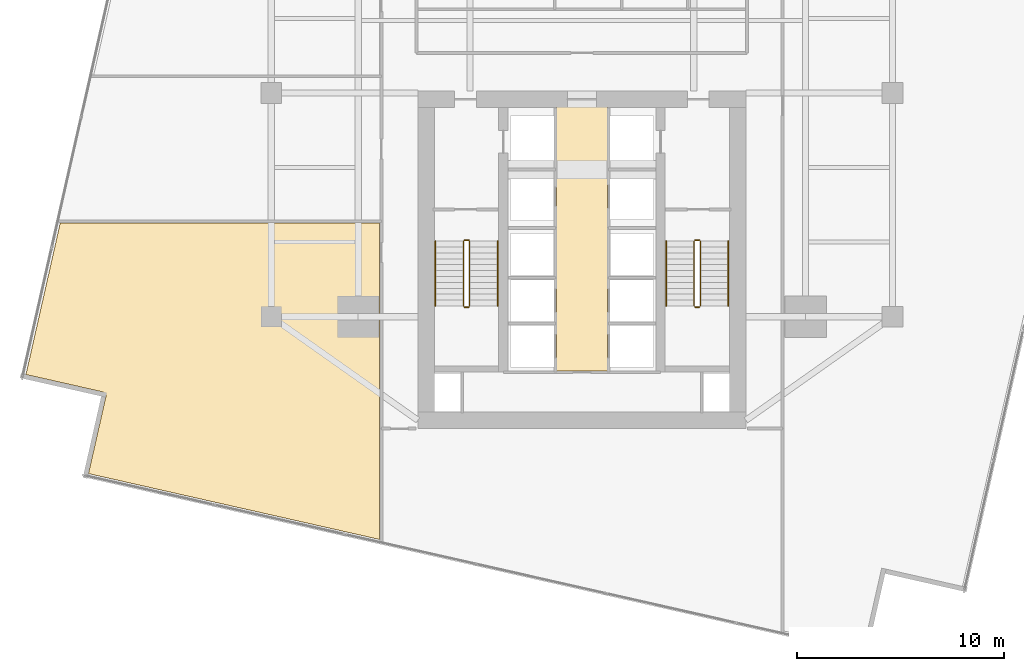
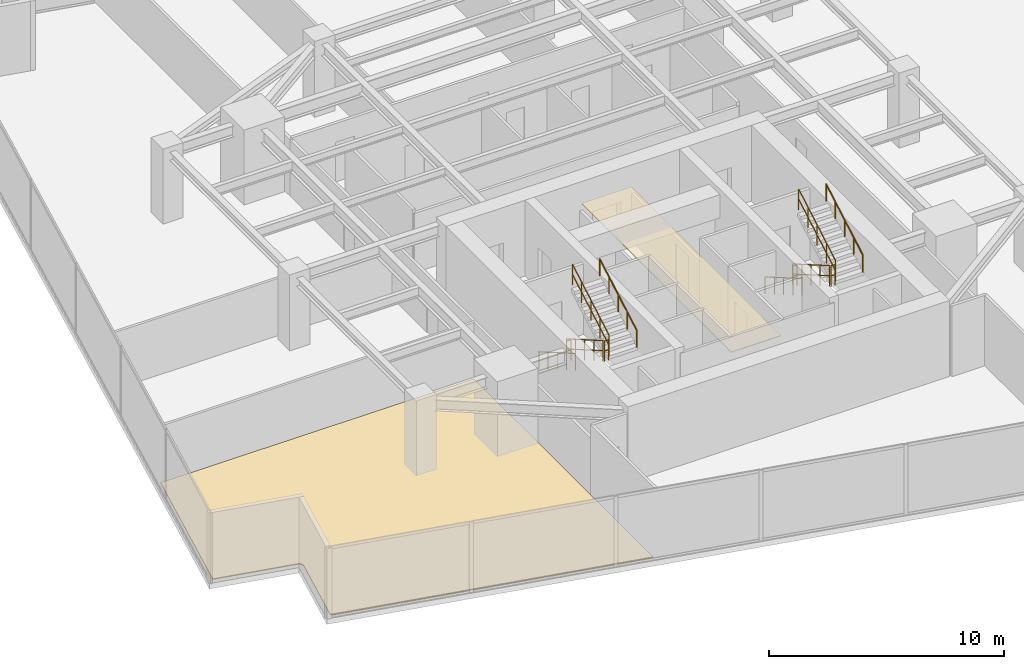
# One storey, part 25 of 27: 12 railings, 2 coverings.
"""IFC4 building model written with IfcOpenShell, lengths in metres."""

import ifcopenshell
import ifcopenshell.guid

model = None  # the IFC model being written
_history = None  # IfcOwnerHistory: only IFC2X3 demands one
_inside = {}  # id of a spatial element -> (the spatial element, [elements in it])
_under = {}  # id of a project, library or spatial element -> (it, [spatial elements below it])
_declared = {}  # id of a project -> (the project, [libraries it declares])
_typed = {}  # id of a type object -> (the type object, [elements of that type])
_made_of = {}  # id of a material, layer set ... -> (it, [elements and type objects made of it])


def new_model(schema):
    """Start an empty IFC model of exactly this schema.

    Asked for "IFC4X3", IfcOpenShell would pick the latest addendum, in which some entities
    have other attributes; the version numbers below select the first issue.
    IFC2X3 requires an IfcOwnerHistory on every rooted entity: one is made here for all.
    """
    global model, _history
    if schema == "IFC4X3":
        model = ifcopenshell.file(schema_version=(4, 3, 0, 0))
    else:
        model = ifcopenshell.file(schema=schema)
    _inside.clear()
    _under.clear()
    _declared.clear()
    _typed.clear()
    _made_of.clear()
    _history = None
    if model.schema == "IFC2X3":
        org = make("IfcOrganization", Name="unknown")
        user = make(
            "IfcPersonAndOrganization",
            ThePerson=make("IfcPerson", FamilyName="unknown"),
            TheOrganization=org,
        )
        app = make(
            "IfcApplication",
            ApplicationDeveloper=org,
            Version="unknown",
            ApplicationFullName="unknown",
            ApplicationIdentifier="unknown",
        )
        _history = make(
            "IfcOwnerHistory",
            OwningUser=user,
            OwningApplication=app,
            ChangeAction="ADDED",
            CreationDate=0,
        )
    return model


def make(cls, **values):
    """One entity of the class cls with the attributes given. An attribute that is None is left unset."""
    return model.create_entity(
        cls, **{name: value for name, value in values.items() if value is not None}
    )


def rooted(cls, **values):
    """An entity with a GlobalId (a new one), such as an element, a storey or a relation."""
    return make(cls, GlobalId=ifcopenshell.guid.new(), OwnerHistory=_history, **values)


def si_unit(unit_type, name, prefix=None):
    """IfcSIUnit, for example si_unit("LENGTHUNIT", "METRE", prefix="MILLI")."""
    return make("IfcSIUnit", UnitType=unit_type, Prefix=prefix, Name=name)


def assignment(units):
    """IfcUnitAssignment: the units of a project."""
    return None if units is None else make("IfcUnitAssignment", Units=units)


def point(xyz):
    """IfcCartesianPoint."""
    return None if xyz is None else make("IfcCartesianPoint", Coordinates=xyz)


def direction(xyz):
    """IfcDirection."""
    return None if xyz is None else make("IfcDirection", DirectionRatios=xyz)


def frame(location, z_axis=None, x_axis=None):
    """IfcAxis2Placement3D, a coordinate frame: its origin and axes. An axis left out is left unset."""
    return make(
        "IfcAxis2Placement3D",
        Location=point(location),
        Axis=direction(z_axis),
        RefDirection=direction(x_axis),
    )


def frame_2d(location, x_axis=None):
    """IfcAxis2Placement2D, a coordinate frame in the plane: its origin and x axis."""
    return make(
        "IfcAxis2Placement2D", Location=point(location), RefDirection=direction(x_axis)
    )


def origin():
    """The frame at (0, 0, 0) with its axes left unset."""
    return frame((0.0, 0.0, 0.0))


def origin_2d():
    """The frame at (0, 0) in the plane with its x axis left unset."""
    return frame_2d((0.0, 0.0))


def place(relative_to, where):
    """IfcLocalPlacement: puts the frame where relative to a parent placement (None: the world)."""
    return make(
        "IfcLocalPlacement", PlacementRelTo=relative_to, RelativePlacement=where
    )


def context(
    kind, dimensions, precision=None, world=None, true_north=None, identifier=None
):
    """IfcGeometricRepresentationContext, for example the 3D "Model" context."""
    return make(
        "IfcGeometricRepresentationContext",
        ContextIdentifier=identifier,
        ContextType=kind,
        CoordinateSpaceDimension=dimensions,
        Precision=precision,
        WorldCoordinateSystem=world,
        TrueNorth=true_north,
    )


def subcontext(parent, identifier, kind, view, scale=None):
    """IfcGeometricRepresentationSubContext, for example "Body" below "Model"."""
    return make(
        "IfcGeometricRepresentationSubContext",
        ContextIdentifier=identifier,
        ContextType=kind,
        ParentContext=parent,
        TargetScale=scale,
        TargetView=view,
    )


def project(units=None, contexts=None):
    """IfcProject with its units and contexts."""
    return rooted(
        "IfcProject",
        Name="project",
        RepresentationContexts=contexts,
        UnitsInContext=assignment(units),
    )


def spatial(cls, under=None, at=None, **own):
    """A site, building, storey or space (cls), placed at a placement, below another one or the project."""
    s = rooted(cls, ObjectPlacement=at, **own)
    if under is not None:
        _under.setdefault(under.id(), (under, []))[1].append(s)
    return s


def polyline(points):
    """IfcPolyline through the points."""
    return make("IfcPolyline", Points=[point(p) for p in points])


def profile(cls, at=None, kind="AREA", **sizes):
    """A parametric profile (cls). Its sizes go by their IFC names, for example OverallWidth=200.0."""
    return make(cls, ProfileType=kind, Position=at, **sizes)


def circle(**sizes):
    """IfcCircleProfileDef."""
    return profile("IfcCircleProfileDef", **sizes)


def outline(outer, holes=None, kind="AREA"):
    """IfcArbitraryClosedProfileDef: a profile drawn as a closed curve; with holes, ...WithVoids."""
    if holes is None:
        return make("IfcArbitraryClosedProfileDef", ProfileType=kind, OuterCurve=outer)
    return make(
        "IfcArbitraryProfileDefWithVoids",
        ProfileType=kind,
        OuterCurve=outer,
        InnerCurves=holes,
    )


def extrude(swept, where, along, depth):
    """IfcExtrudedAreaSolid: the profile swept, set in the frame where, extruded along a direction by depth."""
    return make(
        "IfcExtrudedAreaSolid",
        SweptArea=swept,
        Position=where,
        ExtrudedDirection=direction(along),
        Depth=depth,
    )


def shape(context_of_items, identifier, shape_type, items):
    """IfcShapeRepresentation: the items that make up one representation, for example the "Body"."""
    return make(
        "IfcShapeRepresentation",
        ContextOfItems=context_of_items,
        RepresentationIdentifier=identifier,
        RepresentationType=shape_type,
        Items=items,
    )


def material(Name=None, Category=None):
    """IfcMaterial."""
    return make("IfcMaterial", Name=Name, Category=Category)


def layer(
    of_material, thickness, ventilated=None, Name=None, Category=None, Priority=None
):
    """IfcMaterialLayer: one layer of a wall or slab, of a material (None: an air gap)."""
    return make(
        "IfcMaterialLayer",
        Material=of_material,
        LayerThickness=thickness,
        IsVentilated=ventilated,
        Name=Name,
        Category=Category,
        Priority=Priority,
    )


def layer_set(layers, Name=None):
    """IfcMaterialLayerSet."""
    return make("IfcMaterialLayerSet", MaterialLayers=layers, LayerSetName=Name)


def made_of(thing, what):
    """Note that an element or type object is made of a material, layer set ...; save() writes the relation."""
    if what is not None:
        _made_of.setdefault(what.id(), (what, []))[1].append(thing)
    return thing


def type_object(cls, material=None, **own):
    """A type object (cls), such as IfcWallType, which elements share."""
    return made_of(rooted(cls, **own), material)


def element(
    cls,
    number,
    at=None,
    inside=None,
    cuts=None,
    type_object=None,
    material=None,
    context=None,
    identifier="Body",
    shape_type=None,
    held_by="IfcProductDefinitionShape",
    body=None,
    shapes=None,
    **own,
):
    """One element of the class cls, such as IfcWall. Its Tag is "e" and its number.

    at: its placement. inside: the storey or other place that contains it. cuts: it is an
    opening in that element (IfcRelVoidsElement). A single representation is given by context,
    identifier, shape_type and body (its items); several are given by shapes. held_by: the class
    of the entity that holds the representations. save() writes the other relations.
    """
    e = rooted(cls, Tag="e%d" % number, ObjectPlacement=at, **own)
    if body is not None:
        shapes = [shape(context, identifier, shape_type, body)]
    if shapes is not None:
        e.Representation = make(held_by, Representations=shapes)
    if inside is not None:
        _inside.setdefault(inside.id(), (inside, []))[1].append(e)
    if cuts is not None:
        rooted(
            "IfcRelVoidsElement", RelatingBuildingElement=cuts, RelatedOpeningElement=e
        )
    if type_object is not None:
        _typed.setdefault(type_object.id(), (type_object, []))[1].append(e)
    return made_of(e, material)


def aggregate(whole, parts):
    """IfcRelAggregates: a whole, such as a stair, and the parts it consists of."""
    return rooted("IfcRelAggregates", RelatingObject=whole, RelatedObjects=parts)


def save(model, path):
    """Write the relations noted so far, then the file.

    IfcRelAggregates (storeys below a building ...), IfcRelContainedInSpatialStructure (elements
    in a storey), IfcRelDefinesByType, IfcRelAssociatesMaterial and IfcRelDeclares: one each for
    every whole, place, type object, material and project.
    """
    for whole, parts in _under.values():
        aggregate(whole, parts)
    for where, things in _inside.values():
        rooted(
            "IfcRelContainedInSpatialStructure",
            RelatedElements=things,
            RelatingStructure=where,
        )
    for kind, things in _typed.values():
        rooted("IfcRelDefinesByType", RelatedObjects=things, RelatingType=kind)
    for what, things in _made_of.values():
        rooted("IfcRelAssociatesMaterial", RelatedObjects=things, RelatingMaterial=what)
    for by, libraries in _declared.values():
        rooted("IfcRelDeclares", RelatingContext=by, RelatedDefinitions=libraries)
    model.write(path)


model = new_model("IFC4")

# Units and contexts
model_context = context("Model", 3, precision=1e-05, world=origin(), true_north=direction((0.0, 1.0)))
body_context = subcontext(model_context, "Body", "Model", "MODEL_VIEW")
ifc_project = project(units=[si_unit("LENGTHUNIT", "METRE"), si_unit("AREAUNIT", "SQUARE_METRE"), si_unit("VOLUMEUNIT", "CUBIC_METRE"), si_unit("PLANEANGLEUNIT", "RADIAN"), si_unit("MASSUNIT", "GRAM", prefix="KILO")], contexts=[model_context])

# Site, building, storey
site_placement = place(None, origin())
site = spatial("IfcSite", under=ifc_project, at=site_placement, CompositionType="ELEMENT")
building_placement = place(site_placement, origin())
building = spatial("IfcBuilding", under=site, at=building_placement, Name="Krantzveldt Concourse Tower", CompositionType="ELEMENT")
storey_placement = place(building_placement, frame((0.0, 0.0, 86.10009765625)))
storey = spatial("IfcBuildingStorey", under=building, at=storey_placement, Name="L20", CompositionType="ELEMENT", Elevation=86.10009765625)

# Coverings
ifc_material_1 = material(Name="Perforated acoustic mineral-fibre ceiling tile", Category="ceiling")
ifc_layer_1 = layer(ifc_material_1, 0.0400390625, Name="Perforated acoustic mineral-fibre ceiling tile", Category="ceiling")
ifc_layer_set_1 = layer_set([ifc_layer_1], Name="Perforated acoustic mineral-fibre ceiling tile (COV-CEIL-ACOUSTIC)")
covering_type_1 = type_object("IfcCoveringType", Name="COV-CEIL-ACOUSTIC", PredefinedType="CEILING", material=ifc_layer_set_1)
covering_1_placement = place(storey_placement, frame((0.0, 0.0, 2.75)))
element("IfcCovering", 1, at=covering_1_placement, inside=storey, type_object=covering_type_1, Name="CLG-L20-LLB", PredefinedType="CEILING", context=body_context, shape_type="SweptSolid", body=[
    extrude(outline(polyline([(37.22509765625, 13.27490234375), (34.77490234375, 13.27490234375), (34.77490234375, 26.044921875), (37.22509765625, 26.044921875), (37.22509765625, 13.27490234375)])), origin(), (0.0, 0.0, 1.0), 0.039794921875),
])
ifc_material_2 = material(Name="Calcium-sulphate raised access floor panel", Category="flooring")
ifc_layer_2 = layer(ifc_material_2, 0.050048828125, Name="Calcium-sulphate raised access floor panel", Category="flooring")
ifc_layer_set_2 = layer_set([ifc_layer_2], Name="Calcium-sulphate raised access floor panel (COV-FLOOR-RAISED)")
covering_type_2 = type_object("IfcCoveringType", Name="COV-FLOOR-RAISED", PredefinedType="FLOORING", material=ifc_layer_set_2)
covering_2_placement = place(storey_placement, origin())
element("IfcCovering", 2, at=covering_2_placement, inside=storey, type_object=covering_type_2, Name="FLR-SP-L20-WR1", PredefinedType="FLOORING", context=body_context, shape_type="SweptSolid", body=[
    extrude(outline(polyline([(26.239990234375, 5.142333984375), (12.17724609375, 8.324462890625), (13.011474609375, 12.01123046875), (13.01513671875, 12.03271484375), (13.016845703125, 12.05419921875), (13.016357421875, 12.07568359375), (13.013671875, 12.09716796875), (13.009033203125, 12.1181640625), (13.002197265625, 12.138671875), (12.993408203125, 12.158447265625), (12.98291015625, 12.17724609375), (12.970458984375, 12.195068359375), (12.956298828125, 12.21142578125), (12.94091796875, 12.226318359375), (12.923828125, 12.239501953125), (12.905517578125, 12.251220703125), (12.88623046875, 12.260986328125), (12.8662109375, 12.2685546875), (12.845458984375, 12.2744140625), (9.15869140625, 13.108642578125), (10.81298828125, 20.419921875), (26.239990234375, 20.419921875), (26.239990234375, 5.142333984375)])), origin(), (0.0, 0.0, 1.0), 0.0498046875),
])

# Railings
ifc_material_3 = material(Name="Stainless steel 316L", Category="steel")
ifc_layer_3 = layer(ifc_material_3, 0.06005859375, Name="Stainless steel 316L", Category="steel")
ifc_layer_set_3 = layer_set([ifc_layer_3], Name="Stainless steel 316L (RL-GUARD-1120)")
railing_type_1 = type_object("IfcRailingType", Name="RL-GUARD-1120", PredefinedType="GUARDRAIL", material=ifc_layer_set_3)
railing_1_placement = place(storey_placement, frame((30.280029296875, 19.550048828125, 0.16455078125)))
element("IfcRailing", 3, at=railing_1_placement, inside=storey, type_object=railing_type_1, Name="L20 ST-1 stair guard 1", PredefinedType="GUARDRAIL", context=body_context, shape_type="SweptSolid", body=[
    extrude(circle(Radius=0.02392578125, at=origin_2d()), frame((0.0, 0.0, 1.076171875), z_axis=(0.0, -0.865989039225, 0.500062979975), x_axis=(1.0, 0.0, 0.0)), (0.0, 0.0, 1.0), 3.6201171875),
    extrude(circle(Radius=0.02392578125, at=origin_2d()), frame((0.0, 0.0, 0.550048828125), z_axis=(0.0, -0.865989039225, 0.500062979975), x_axis=(1.0, 0.0, 0.0)), (0.0, 0.0, 1.0), 3.6201171875),
    extrude(circle(Radius=0.02099609375, at=origin_2d()), origin(), (0.0, 0.0, 1.0), 1.052001953125),
    extrude(circle(Radius=0.02099609375, at=origin_2d()), frame((0.0, -0.78369140625, 0.45263671875)), (0.0, 0.0, 1.0), 1.052001953125),
    extrude(circle(Radius=0.02099609375, at=origin_2d()), frame((0.0, -1.5673828125, 0.9052734375)), (0.0, 0.0, 1.0), 1.052001953125),
    extrude(circle(Radius=0.02099609375, at=origin_2d()), frame((0.0, -2.351318359375, 1.357666015625)), (0.0, 0.0, 1.0), 1.052001953125),
    extrude(circle(Radius=0.02099609375, at=origin_2d()), frame((0.0, -3.135009765625, 1.810302734375)), (0.0, 0.0, 1.0), 1.052001953125),
])
railing_2_placement = place(storey_placement, frame((30.330078125, 16.364990234375, 1.974853515625)))
element("IfcRailing", 4, at=railing_2_placement, inside=storey, type_object=railing_type_1, Name="L20 ST-1 stair guard 2", PredefinedType="GUARDRAIL", context=body_context, shape_type="SweptSolid", body=[
    extrude(circle(Radius=0.02392578125, at=origin_2d()), frame((0.0, 0.0, 1.076171875), z_axis=(1.0, 0.0, 0.0), x_axis=(0.0, 1.0, 0.0)), (0.0, 0.0, 1.0), 0.199951171875),
    extrude(circle(Radius=0.02392578125, at=origin_2d()), frame((0.0, 0.0, 0.550048828125), z_axis=(1.0, 0.0, 0.0), x_axis=(0.0, 1.0, 0.0)), (0.0, 0.0, 1.0), 0.199951171875),
    extrude(circle(Radius=0.02099609375, at=origin_2d()), origin(), (0.0, 0.0, 1.0), 1.052001953125),
    extrude(circle(Radius=0.02099609375, at=origin_2d()), frame((0.199951171875, 0.0, 0.0)), (0.0, 0.0, 1.0), 1.052001953125),
])
railing_3_placement = place(storey_placement, frame((30.580078125, 16.4150390625, 2.139404296875)))
element("IfcRailing", 5, at=railing_3_placement, inside=storey, type_object=railing_type_1, Name="L20 ST-1 stair guard 3", PredefinedType="GUARDRAIL", context=body_context, shape_type="SweptSolid", body=[
    extrude(circle(Radius=0.02392578125, at=origin_2d()), frame((0.0, 0.0, 1.076171875), z_axis=(0.0, 0.865959834175, 0.500113552702), x_axis=(-1.0, 0.0, 0.0)), (0.0, 0.0, 1.0), 3.620361328125),
    extrude(circle(Radius=0.02392578125, at=origin_2d()), frame((0.0, 0.0, 0.550048828125), z_axis=(0.0, 0.865959834175, 0.500113552702), x_axis=(-1.0, 0.0, 0.0)), (0.0, 0.0, 1.0), 3.620361328125),
    extrude(circle(Radius=0.02099609375, at=origin_2d()), origin(), (0.0, 0.0, 1.0), 1.052001953125),
    extrude(circle(Radius=0.02099609375, at=origin_2d()), frame((0.0, 0.78369140625, 0.45263671875)), (0.0, 0.0, 1.0), 1.052001953125),
    extrude(circle(Radius=0.02099609375, at=origin_2d()), frame((0.0, 1.5673828125, 0.9052734375)), (0.0, 0.0, 1.0), 1.052001953125),
    extrude(circle(Radius=0.02099609375, at=origin_2d()), frame((0.0, 2.351318359375, 1.35791015625)), (0.0, 0.0, 1.0), 1.052001953125),
    extrude(circle(Radius=0.02099609375, at=origin_2d()), frame((0.0, 3.135009765625, 1.810546875)), (0.0, 0.0, 1.0), 1.052001953125),
])
railing_4_placement = place(storey_placement, frame((30.330078125, 19.60009765625, 0.0)))
element("IfcRailing", 6, at=railing_4_placement, inside=storey, type_object=railing_type_1, Name="L20 ST-1 stair guard 4", PredefinedType="GUARDRAIL", context=body_context, shape_type="SweptSolid", body=[
    extrude(circle(Radius=0.02392578125, at=origin_2d()), frame((0.0, 0.0, 1.076171875), z_axis=(1.0, 0.0, 0.0), x_axis=(0.0, 1.0, 0.0)), (0.0, 0.0, 1.0), 0.199951171875),
    extrude(circle(Radius=0.02392578125, at=origin_2d()), frame((0.0, 0.0, 0.550048828125), z_axis=(1.0, 0.0, 0.0), x_axis=(0.0, 1.0, 0.0)), (0.0, 0.0, 1.0), 0.199951171875),
    extrude(circle(Radius=0.02099609375, at=origin_2d()), origin(), (0.0, 0.0, 1.0), 1.052001953125),
    extrude(circle(Radius=0.02099609375, at=origin_2d()), frame((0.199951171875, 0.0, 0.0)), (0.0, 0.0, 1.0), 1.052001953125),
])
railing_5_placement = place(storey_placement, frame((41.419921875, 19.550048828125, 0.16455078125)))
element("IfcRailing", 7, at=railing_5_placement, inside=storey, type_object=railing_type_1, Name="L20 ST-2 stair guard 1", PredefinedType="GUARDRAIL", context=body_context, shape_type="SweptSolid", body=[
    extrude(circle(Radius=0.02392578125, at=origin_2d()), frame((0.0, 0.0, 1.076171875), z_axis=(0.0, -0.865989039225, 0.500062979975), x_axis=(1.0, 0.0, 0.0)), (0.0, 0.0, 1.0), 3.6201171875),
    extrude(circle(Radius=0.02392578125, at=origin_2d()), frame((0.0, 0.0, 0.550048828125), z_axis=(0.0, -0.865989039225, 0.500062979975), x_axis=(1.0, 0.0, 0.0)), (0.0, 0.0, 1.0), 3.6201171875),
    extrude(circle(Radius=0.02099609375, at=origin_2d()), origin(), (0.0, 0.0, 1.0), 1.052001953125),
    extrude(circle(Radius=0.02099609375, at=origin_2d()), frame((0.0, -0.78369140625, 0.45263671875)), (0.0, 0.0, 1.0), 1.052001953125),
    extrude(circle(Radius=0.02099609375, at=origin_2d()), frame((0.0, -1.5673828125, 0.9052734375)), (0.0, 0.0, 1.0), 1.052001953125),
    extrude(circle(Radius=0.02099609375, at=origin_2d()), frame((0.0, -2.351318359375, 1.357666015625)), (0.0, 0.0, 1.0), 1.052001953125),
    extrude(circle(Radius=0.02099609375, at=origin_2d()), frame((0.0, -3.135009765625, 1.810302734375)), (0.0, 0.0, 1.0), 1.052001953125),
])
railing_6_placement = place(storey_placement, frame((41.469970703125, 16.364990234375, 1.974853515625)))
element("IfcRailing", 8, at=railing_6_placement, inside=storey, type_object=railing_type_1, Name="L20 ST-2 stair guard 2", PredefinedType="GUARDRAIL", context=body_context, shape_type="SweptSolid", body=[
    extrude(circle(Radius=0.02392578125, at=origin_2d()), frame((0.0, 0.0, 1.076171875), z_axis=(1.0, 0.0, 0.0), x_axis=(0.0, 1.0, 0.0)), (0.0, 0.0, 1.0), 0.199951171875),
    extrude(circle(Radius=0.02392578125, at=origin_2d()), frame((0.0, 0.0, 0.550048828125), z_axis=(1.0, 0.0, 0.0), x_axis=(0.0, 1.0, 0.0)), (0.0, 0.0, 1.0), 0.199951171875),
    extrude(circle(Radius=0.02099609375, at=origin_2d()), origin(), (0.0, 0.0, 1.0), 1.052001953125),
    extrude(circle(Radius=0.02099609375, at=origin_2d()), frame((0.199951171875, 0.0, 0.0)), (0.0, 0.0, 1.0), 1.052001953125),
])
railing_7_placement = place(storey_placement, frame((41.719970703125, 16.4150390625, 2.139404296875)))
element("IfcRailing", 9, at=railing_7_placement, inside=storey, type_object=railing_type_1, Name="L20 ST-2 stair guard 3", PredefinedType="GUARDRAIL", context=body_context, shape_type="SweptSolid", body=[
    extrude(circle(Radius=0.02392578125, at=origin_2d()), frame((0.0, 0.0, 1.076171875), z_axis=(0.0, 0.865959834175, 0.500113552702), x_axis=(-1.0, 0.0, 0.0)), (0.0, 0.0, 1.0), 3.620361328125),
    extrude(circle(Radius=0.02392578125, at=origin_2d()), frame((0.0, 0.0, 0.550048828125), z_axis=(0.0, 0.865959834175, 0.500113552702), x_axis=(-1.0, 0.0, 0.0)), (0.0, 0.0, 1.0), 3.620361328125),
    extrude(circle(Radius=0.02099609375, at=origin_2d()), origin(), (0.0, 0.0, 1.0), 1.052001953125),
    extrude(circle(Radius=0.02099609375, at=origin_2d()), frame((0.0, 0.78369140625, 0.45263671875)), (0.0, 0.0, 1.0), 1.052001953125),
    extrude(circle(Radius=0.02099609375, at=origin_2d()), frame((0.0, 1.5673828125, 0.9052734375)), (0.0, 0.0, 1.0), 1.052001953125),
    extrude(circle(Radius=0.02099609375, at=origin_2d()), frame((0.0, 2.351318359375, 1.35791015625)), (0.0, 0.0, 1.0), 1.052001953125),
    extrude(circle(Radius=0.02099609375, at=origin_2d()), frame((0.0, 3.135009765625, 1.810546875)), (0.0, 0.0, 1.0), 1.052001953125),
])
railing_8_placement = place(storey_placement, frame((41.469970703125, 19.60009765625, 0.0)))
element("IfcRailing", 10, at=railing_8_placement, inside=storey, type_object=railing_type_1, Name="L20 ST-2 stair guard 4", PredefinedType="GUARDRAIL", context=body_context, shape_type="SweptSolid", body=[
    extrude(circle(Radius=0.02392578125, at=origin_2d()), frame((0.0, 0.0, 1.076171875), z_axis=(1.0, 0.0, 0.0), x_axis=(0.0, 1.0, 0.0)), (0.0, 0.0, 1.0), 0.199951171875),
    extrude(circle(Radius=0.02392578125, at=origin_2d()), frame((0.0, 0.0, 0.550048828125), z_axis=(1.0, 0.0, 0.0), x_axis=(0.0, 1.0, 0.0)), (0.0, 0.0, 1.0), 0.199951171875),
    extrude(circle(Radius=0.02099609375, at=origin_2d()), origin(), (0.0, 0.0, 1.0), 1.052001953125),
    extrude(circle(Radius=0.02099609375, at=origin_2d()), frame((0.199951171875, 0.0, 0.0)), (0.0, 0.0, 1.0), 1.052001953125),
])
ifc_layer_4 = layer(ifc_material_3, 0.050048828125, Name="Stainless steel 316L", Category="steel")
ifc_layer_set_4 = layer_set([ifc_layer_4], Name="Stainless steel 316L (RL-HANDRAIL-920)")
railing_type_2 = type_object("IfcRailingType", Name="RL-HANDRAIL-920", PredefinedType="HANDRAIL", material=ifc_layer_set_4)
railing_9_placement = place(storey_placement, frame((28.929931640625, 19.550048828125, 0.16455078125)))
element("IfcRailing", 11, at=railing_9_placement, inside=storey, type_object=railing_type_2, Name="L20 ST-1 stair handrail 1", PredefinedType="HANDRAIL", context=body_context, shape_type="SweptSolid", body=[
    extrude(circle(Radius=0.02392578125, at=origin_2d()), frame((0.0, 0.0, 0.8759765625), z_axis=(0.0, -0.865989039225, 0.500062979975), x_axis=(1.0, 0.0, 0.0)), (0.0, 0.0, 1.0), 3.6201171875),
    extrude(circle(Radius=0.02099609375, at=origin_2d()), origin(), (0.0, 0.0, 1.0), 0.851806640625),
    extrude(circle(Radius=0.02099609375, at=origin_2d()), frame((0.0, -0.78369140625, 0.45263671875)), (0.0, 0.0, 1.0), 0.851806640625),
    extrude(circle(Radius=0.02099609375, at=origin_2d()), frame((0.0, -1.5673828125, 0.9052734375)), (0.0, 0.0, 1.0), 0.851806640625),
    extrude(circle(Radius=0.02099609375, at=origin_2d()), frame((0.0, -2.351318359375, 1.357666015625)), (0.0, 0.0, 1.0), 0.851806640625),
    extrude(circle(Radius=0.02099609375, at=origin_2d()), frame((0.0, -3.135009765625, 1.810302734375)), (0.0, 0.0, 1.0), 0.851806640625),
])
railing_10_placement = place(storey_placement, frame((31.929931640625, 16.4150390625, 2.139404296875)))
element("IfcRailing", 12, at=railing_10_placement, inside=storey, type_object=railing_type_2, Name="L20 ST-1 stair handrail 2", PredefinedType="HANDRAIL", context=body_context, shape_type="SweptSolid", body=[
    extrude(circle(Radius=0.02392578125, at=origin_2d()), frame((0.0, 0.0, 0.8759765625), z_axis=(0.0, 0.865959834175, 0.500113552702), x_axis=(-1.0, 0.0, 0.0)), (0.0, 0.0, 1.0), 3.620361328125),
    extrude(circle(Radius=0.02099609375, at=origin_2d()), origin(), (0.0, 0.0, 1.0), 0.851806640625),
    extrude(circle(Radius=0.02099609375, at=origin_2d()), frame((0.0, 0.78369140625, 0.45263671875)), (0.0, 0.0, 1.0), 0.851806640625),
    extrude(circle(Radius=0.02099609375, at=origin_2d()), frame((0.0, 1.5673828125, 0.9052734375)), (0.0, 0.0, 1.0), 0.851806640625),
    extrude(circle(Radius=0.02099609375, at=origin_2d()), frame((0.0, 2.351318359375, 1.35791015625)), (0.0, 0.0, 1.0), 0.851806640625),
    extrude(circle(Radius=0.02099609375, at=origin_2d()), frame((0.0, 3.135009765625, 1.810546875)), (0.0, 0.0, 1.0), 0.851806640625),
])
railing_11_placement = place(storey_placement, frame((40.070068359375, 19.550048828125, 0.16455078125)))
element("IfcRailing", 13, at=railing_11_placement, inside=storey, type_object=railing_type_2, Name="L20 ST-2 stair handrail 1", PredefinedType="HANDRAIL", context=body_context, shape_type="SweptSolid", body=[
    extrude(circle(Radius=0.02392578125, at=origin_2d()), frame((0.0, 0.0, 0.8759765625), z_axis=(0.0, -0.865989039225, 0.500062979975), x_axis=(1.0, 0.0, 0.0)), (0.0, 0.0, 1.0), 3.6201171875),
    extrude(circle(Radius=0.02099609375, at=origin_2d()), origin(), (0.0, 0.0, 1.0), 0.851806640625),
    extrude(circle(Radius=0.02099609375, at=origin_2d()), frame((0.0, -0.78369140625, 0.45263671875)), (0.0, 0.0, 1.0), 0.851806640625),
    extrude(circle(Radius=0.02099609375, at=origin_2d()), frame((0.0, -1.5673828125, 0.9052734375)), (0.0, 0.0, 1.0), 0.851806640625),
    extrude(circle(Radius=0.02099609375, at=origin_2d()), frame((0.0, -2.351318359375, 1.357666015625)), (0.0, 0.0, 1.0), 0.851806640625),
    extrude(circle(Radius=0.02099609375, at=origin_2d()), frame((0.0, -3.135009765625, 1.810302734375)), (0.0, 0.0, 1.0), 0.851806640625),
])
railing_12_placement = place(storey_placement, frame((43.070068359375, 16.4150390625, 2.139404296875)))
element("IfcRailing", 14, at=railing_12_placement, inside=storey, type_object=railing_type_2, Name="L20 ST-2 stair handrail 2", PredefinedType="HANDRAIL", context=body_context, shape_type="SweptSolid", body=[
    extrude(circle(Radius=0.02392578125, at=origin_2d()), frame((0.0, 0.0, 0.8759765625), z_axis=(0.0, 0.865959834175, 0.500113552702), x_axis=(-1.0, 0.0, 0.0)), (0.0, 0.0, 1.0), 3.620361328125),
    extrude(circle(Radius=0.02099609375, at=origin_2d()), origin(), (0.0, 0.0, 1.0), 0.851806640625),
    extrude(circle(Radius=0.02099609375, at=origin_2d()), frame((0.0, 0.78369140625, 0.45263671875)), (0.0, 0.0, 1.0), 0.851806640625),
    extrude(circle(Radius=0.02099609375, at=origin_2d()), frame((0.0, 1.5673828125, 0.9052734375)), (0.0, 0.0, 1.0), 0.851806640625),
    extrude(circle(Radius=0.02099609375, at=origin_2d()), frame((0.0, 2.351318359375, 1.35791015625)), (0.0, 0.0, 1.0), 0.851806640625),
    extrude(circle(Radius=0.02099609375, at=origin_2d()), frame((0.0, 3.135009765625, 1.810546875)), (0.0, 0.0, 1.0), 0.851806640625),
])

save(model, "model.ifc")
